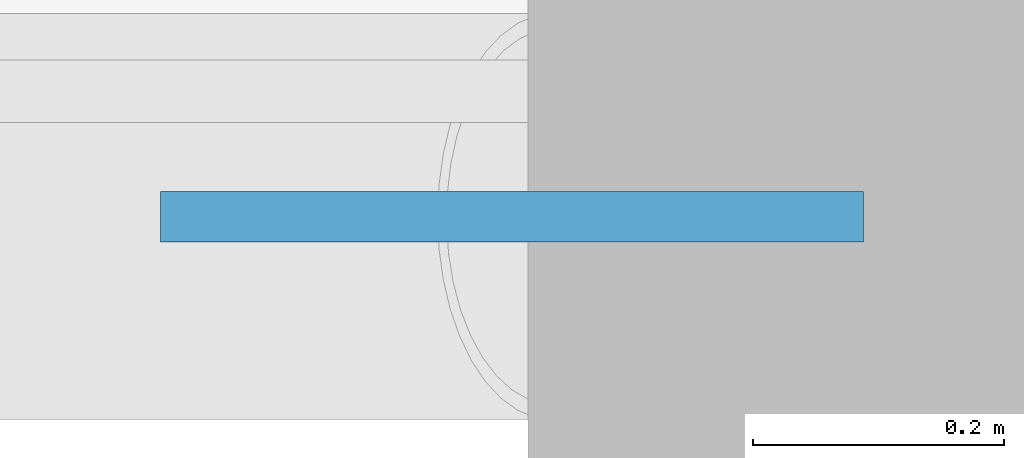
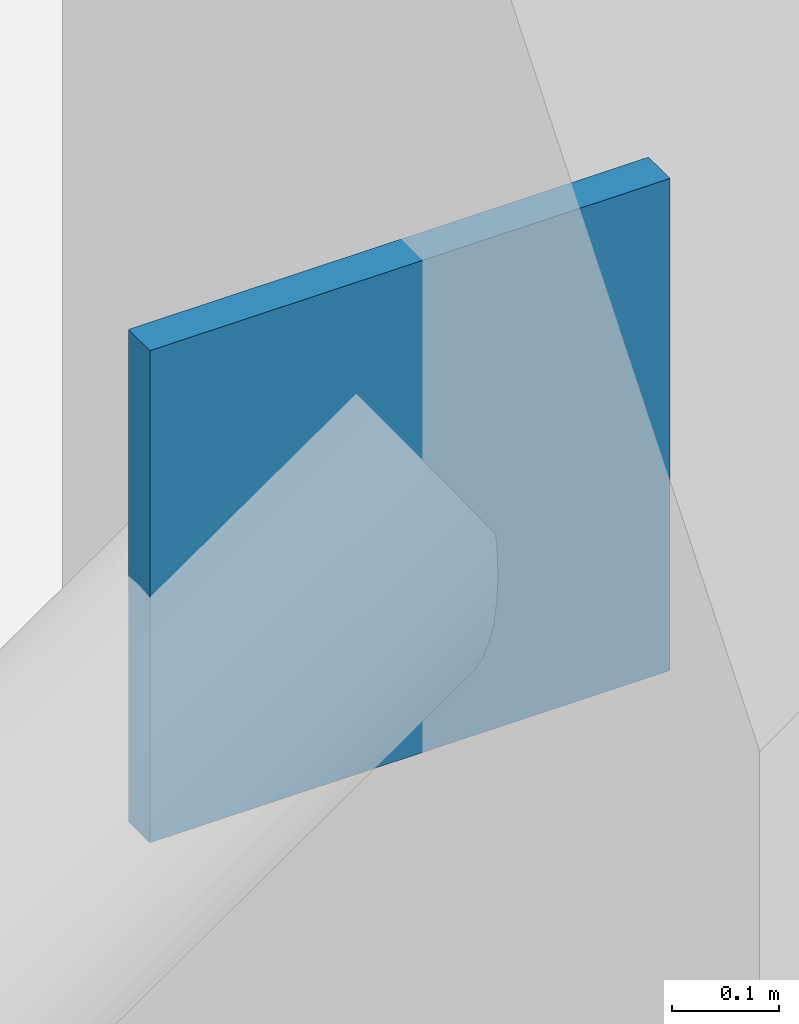
# One storey, part 10 of 19: 1 plate.
"""IFC4 building model written with IfcOpenShell, lengths in metres."""

from ifc_helpers import new_model, si_unit, direction, frame, origin, origin_2d, place, context, subcontext, project, spatial, rectangle, extrude, material, layer, layer_set, type_object, element, save


model = new_model("IFC4")

# Units and contexts
model_context = context("Model", 3, precision=1e-05, world=origin(), true_north=direction((0.0, 1.0)))
body_context = subcontext(model_context, "Body", "Model", "MODEL_VIEW")
ifc_project = project(units=[si_unit("LENGTHUNIT", "METRE"), si_unit("AREAUNIT", "SQUARE_METRE"), si_unit("VOLUMEUNIT", "CUBIC_METRE"), si_unit("PLANEANGLEUNIT", "RADIAN"), si_unit("MASSUNIT", "GRAM", prefix="KILO")], contexts=[model_context])

# Site, building, storey
site_placement = place(None, origin())
site = spatial("IfcSite", under=ifc_project, at=site_placement, CompositionType="ELEMENT")
building_placement = place(site_placement, origin())
building = spatial("IfcBuilding", under=site, at=building_placement, Name="Koriwani Terraces Tower", CompositionType="ELEMENT")
storey_placement = place(building_placement, frame((0.0, 0.0, 94.0)))
storey = spatial("IfcBuildingStorey", under=building, at=storey_placement, Name="L22", CompositionType="ELEMENT", Elevation=94.0)

# Plate
ifc_material = material(Name="Steel ASTM A572 Grade 50", Category="steel")
ifc_layer = layer(ifc_material, 0.0400390625, Name="Steel ASTM A572 Grade 50")
ifc_layer_set = layer_set([ifc_layer], Name="Steel ASTM A572 Grade 50")
plate_type = type_object("IfcPlateType", Name="STEEL_GUSSET_PLATE_40", PredefinedType="USERDEFINED", material=ifc_layer_set)
plate_placement = place(storey_placement, frame((66.537109375, 0.0, 4.897216796875), z_axis=(0.0, 0.0, 1.0), x_axis=(1.0, 0.0, 0.0)))
element("IfcPlate", 1, at=plate_placement, inside=storey, type_object=plate_type, Name="Brace Node Gusset Plate BT-L22-BS4", ObjectType="GUSSET_PLATE", PredefinedType="USERDEFINED", context=body_context, shape_type="SweptSolid", body=[
    extrude(rectangle(XDim=0.56005859375, YDim=0.0400390625, at=origin_2d()), origin(), (0.0, 0.0, 1.0), 0.56005859375),
])

save(model, "model.ifc")
